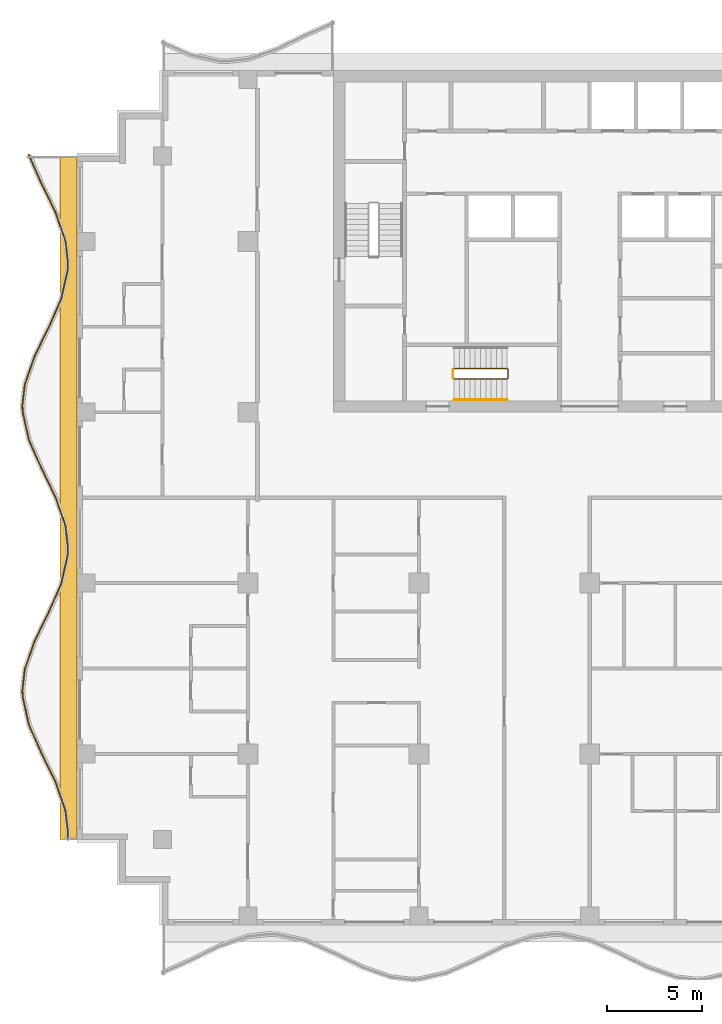
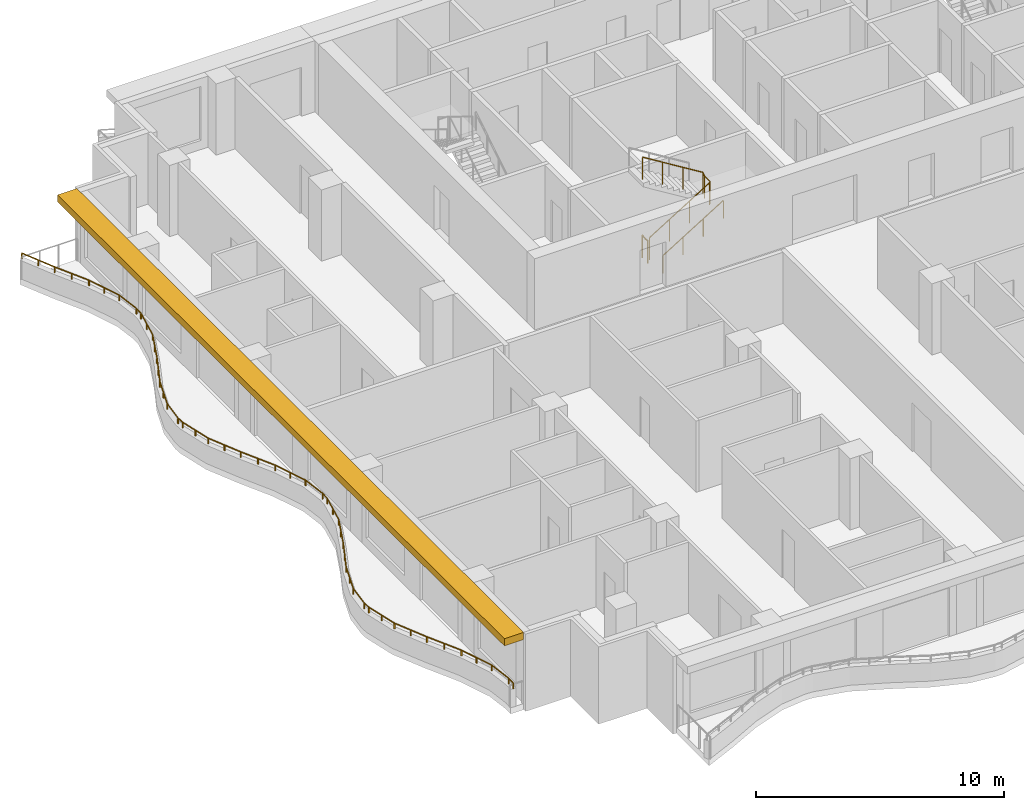
# One storey, part 9 of 11: 4 railings, 1 shading device.
"""IFC4 building model written with IfcOpenShell, lengths in metres."""

from ifc_helpers import new_model, si_unit, direction, frame, origin, origin_2d, place, context, subcontext, project, spatial, polyline, rectangle, circle, outline, extrude, material, layer, layer_set, type_object, element, save


model = new_model("IFC4")

# Units and contexts
model_context = context("Model", 3, precision=1e-05, world=origin(), true_north=direction((0.0, 1.0)))
body_context = subcontext(model_context, "Body", "Model", "MODEL_VIEW")
ifc_project = project(units=[si_unit("LENGTHUNIT", "METRE"), si_unit("AREAUNIT", "SQUARE_METRE"), si_unit("VOLUMEUNIT", "CUBIC_METRE"), si_unit("PLANEANGLEUNIT", "RADIAN"), si_unit("MASSUNIT", "GRAM", prefix="KILO")], contexts=[model_context])

# Site, building, storey
site_placement = place(None, origin())
site = spatial("IfcSite", under=ifc_project, at=site_placement, CompositionType="ELEMENT")
building_placement = place(site_placement, origin())
building = spatial("IfcBuilding", under=site, at=building_placement, Name="Orbiselva Terraces", CompositionType="ELEMENT")
storey_placement = place(building_placement, frame((0.0, 0.0, 222.4)))
storey = spatial("IfcBuildingStorey", under=building, at=storey_placement, Name="L56", CompositionType="ELEMENT", Elevation=222.4)

# Railings
ifc_material_1 = material(Name="Stainless steel", Category="steel")
railing_type_1 = type_object("IfcRailingType", Name="CORE-GUARD-1100", PredefinedType="GUARDRAIL", material=ifc_material_1)
railing_1_placement = place(storey_placement, frame((-7.15, 6.25, 0.172727)))
element("IfcRailing", 1, at=railing_1_placement, inside=storey, type_object=railing_type_1, Name="L56 S3 stair guard 1", PredefinedType="GUARDRAIL", context=body_context, shape_type="SweptSolid", body=[
    extrude(circle(Radius=0.024, at=origin_2d()), frame((0.0, 0.0, 1.081), z_axis=(0.851088519012, 0.0, 0.52502222125), x_axis=(0.0, 1.0, 0.0)), (0.0, 0.0, 1.0), 3.289905),
    extrude(circle(Radius=0.024, at=origin_2d()), frame((2.8, 0.0, 2.808273), z_axis=(0.707106781187, 0.707106781187, 0.0), x_axis=(-0.707106781187, 0.707106781187, 0.0)), (0.0, 0.0, 1.0), 0.070711),
    extrude(circle(Radius=0.024, at=origin_2d()), frame((2.85, 0.05, 2.808273), z_axis=(0.0, 1.0, 0.0), x_axis=(-1.0, 0.0, 0.0)), (0.0, 0.0, 1.0), 0.45),
    extrude(circle(Radius=0.024, at=origin_2d()), frame((2.85, 0.5, 2.808273), z_axis=(-0.267894925557, 0.267894925557, 0.925453736133), x_axis=(-0.707106781187, -0.707106781187, 0.0)), (0.0, 0.0, 1.0), 0.18664),
    extrude(circle(Radius=0.024, at=origin_2d()), frame((2.8, 0.55, 2.981), z_axis=(-0.851088519012, 0.0, 0.52502222125), x_axis=(0.0, -1.0, 0.0)), (0.0, 0.0, 1.0), 3.289905),
    extrude(circle(Radius=0.021, at=origin_2d()), origin(), (0.0, 0.0, 1.0), 1.057),
    extrude(circle(Radius=0.021, at=origin_2d()), frame((0.933333, 0.0, 0.575758)), (0.0, 0.0, 1.0), 1.057),
    extrude(circle(Radius=0.021, at=origin_2d()), frame((1.866667, 0.0, 1.151515)), (0.0, 0.0, 1.0), 1.057),
    extrude(circle(Radius=0.021, at=origin_2d()), frame((2.8, 0.0, 1.727273)), (0.0, 0.0, 1.0), 1.057),
    extrude(circle(Radius=0.021, at=origin_2d()), frame((2.85, 0.05, 1.727273)), (0.0, 0.0, 1.0), 1.057),
    extrude(circle(Radius=0.021, at=origin_2d()), frame((2.85, 0.5, 1.727273)), (0.0, 0.0, 1.0), 1.057),
    extrude(circle(Radius=0.021, at=origin_2d()), frame((2.8, 0.55, 1.9)), (0.0, 0.0, 1.0), 1.057),
    extrude(circle(Radius=0.021, at=origin_2d()), frame((1.866667, 0.55, 2.475758)), (0.0, 0.0, 1.0), 1.057),
    extrude(circle(Radius=0.021, at=origin_2d()), frame((0.933333, 0.55, 3.051515)), (0.0, 0.0, 1.0), 1.057),
    extrude(circle(Radius=0.021, at=origin_2d()), frame((0.0, 0.55, 3.627273)), (0.0, 0.0, 1.0), 1.057),
])
railing_2_placement = place(storey_placement, frame((-7.2, 6.3, 0.0)))
element("IfcRailing", 2, at=railing_2_placement, inside=storey, type_object=railing_type_1, Name="L56 S3 stair guard 2", PredefinedType="GUARDRAIL", context=body_context, shape_type="SweptSolid", body=[
    extrude(circle(Radius=0.024, at=origin_2d()), frame((0.0, 0.0, 1.081), z_axis=(0.0, 1.0, 0.0), x_axis=(-1.0, 0.0, 0.0)), (0.0, 0.0, 1.0), 0.45),
    extrude(circle(Radius=0.021, at=origin_2d()), origin(), (0.0, 0.0, 1.0), 1.057),
    extrude(circle(Radius=0.021, at=origin_2d()), frame((0.0, 0.45, 0.0)), (0.0, 0.0, 1.0), 1.057),
])
railing_type_2 = type_object("IfcRailingType", Name="CORE-HANDRAIL-900", PredefinedType="HANDRAIL", material=ifc_material_1)
railing_3_placement = place(storey_placement, frame((-7.15, 5.15, 0.172727)))
element("IfcRailing", 3, at=railing_3_placement, inside=storey, type_object=railing_type_2, Name="L56 S3 stair handrail 1", PredefinedType="HANDRAIL", context=body_context, shape_type="SweptSolid", body=[
    extrude(circle(Radius=0.024, at=origin_2d()), frame((0.0, 0.0, 0.876), z_axis=(0.851088519012, 0.0, 0.52502222125), x_axis=(0.0, 1.0, 0.0)), (0.0, 0.0, 1.0), 3.289905),
    extrude(circle(Radius=0.021, at=origin_2d()), origin(), (0.0, 0.0, 1.0), 0.852),
    extrude(circle(Radius=0.021, at=origin_2d()), frame((0.933333, 0.0, 0.575758)), (0.0, 0.0, 1.0), 0.852),
    extrude(circle(Radius=0.021, at=origin_2d()), frame((1.866667, 0.0, 1.151515)), (0.0, 0.0, 1.0), 0.852),
    extrude(circle(Radius=0.021, at=origin_2d()), frame((2.8, 0.0, 1.727273)), (0.0, 0.0, 1.0), 0.852),
])
ifc_material_2 = material(Name="Bonded two-ply safety glass balustrade, stainless steel posts", Category="steel")
railing_type_3 = type_object("IfcRailingType", Name="ENV-BALUSTRADE-1200", PredefinedType="BALUSTRADE", material=ifc_material_2)
railing_4_placement = place(storey_placement, frame((-29.534136, 18.050394, 0.9)))
element("IfcRailing", 4, at=railing_4_placement, inside=storey, type_object=railing_type_3, Name="Balcony balustrade L56 W", PredefinedType="BALUSTRADE", context=body_context, shape_type="SweptSolid", body=[
    extrude(outline(polyline([(0.028868, 0.0), (0.014434, 0.025), (-0.014434, 0.025), (-0.028868, 0.0), (-0.014434, -0.025), (0.014434, -0.025), (0.028868, 0.0)])), frame((0.0, 0.0, 0.275), z_axis=(0.403150940408, -0.915133498047, 0.0), x_axis=(0.915133498047, 0.403150940408, 0.0)), (0.0, 0.0, 1.0), 1.636648),
    extrude(outline(polyline([(0.028868, 0.0), (0.014434, 0.025), (-0.014434, 0.025), (-0.028868, 0.0), (-0.014434, -0.025), (0.014434, -0.025), (0.028868, 0.0)])), frame((0.659816, -1.497751, 0.275), z_axis=(0.438812048596, -0.898578870221, 0.0), x_axis=(0.898578870221, 0.438812048596, 0.0)), (0.0, 0.0, 1.0), 1.674225),
    extrude(outline(polyline([(0.028868, 0.0), (0.014434, 0.025), (-0.014434, 0.025), (-0.028868, 0.0), (-0.014434, -0.025), (0.014434, -0.025), (0.028868, 0.0)])), frame((1.394486, -3.002174, 0.275), z_axis=(0.330024597479, -0.943972332783, 0.0), x_axis=(0.943972332783, 0.330024597479, 0.0)), (0.0, 0.0, 1.0), 1.610253),
    extrude(outline(polyline([(0.028868, 0.0), (0.014434, 0.025), (-0.014434, 0.025), (-0.028868, 0.0), (-0.014434, -0.025), (0.014434, -0.025), (0.028868, 0.0)])), frame((1.925909, -4.522208, 0.275), z_axis=(0.115482182324, -0.993309551734, 0.0), x_axis=(0.993309551734, 0.115482182324, 0.0)), (0.0, 0.0, 1.0), 1.156135),
    extrude(outline(polyline([(0.028868, 0.0), (0.014434, 0.025), (-0.014434, 0.025), (-0.028868, 0.0), (-0.014434, -0.025), (0.014434, -0.025), (0.028868, 0.0)])), frame((2.059422, -5.670608, 0.275), z_axis=(-0.03936915532, -0.999224734286, 0.0), x_axis=(0.999224734286, -0.03936915532, 0.0)), (0.0, 0.0, 1.0), 0.396376),
    extrude(outline(polyline([(0.028868, 0.0), (0.014434, 0.025), (-0.014434, 0.025), (-0.028868, 0.0), (-0.014434, -0.025), (0.014434, -0.025), (0.028868, 0.0)])), frame((2.043817, -6.066677, 0.275), z_axis=(-0.219015500924, -0.97572137947, 0.0), x_axis=(0.97572137947, -0.219015500924, 0.0)), (0.0, 0.0, 1.0), 1.560867),
    extrude(outline(polyline([(0.028868, 0.0), (0.014434, 0.025), (-0.014434, 0.025), (-0.028868, 0.0), (-0.014434, -0.025), (0.014434, -0.025), (0.028868, 0.0)])), frame((1.701963, -7.589648, 0.275), z_axis=(-0.403150874148, -0.915133527237, 0.0), x_axis=(0.915133527237, -0.403150874148, 0.0)), (0.0, 0.0, 1.0), 1.653736),
    extrude(outline(polyline([(0.028868, 0.0), (0.014434, 0.025), (-0.014434, 0.025), (-0.028868, 0.0), (-0.014434, -0.025), (0.014434, -0.025), (0.028868, 0.0)])), frame((1.035258, -9.103037, 0.275), z_axis=(-0.438811978768, -0.89857890432, 0.0), x_axis=(0.89857890432, -0.438811978768, 0.0)), (0.0, 0.0, 1.0), 1.66438),
    extrude(outline(polyline([(0.028868, 0.0), (0.014434, 0.025), (-0.014434, 0.025), (-0.028868, 0.0), (-0.014434, -0.025), (0.014434, -0.025), (0.028868, 0.0)])), frame((0.304908, -10.598614, 0.275), z_axis=(-0.330024754707, -0.943972277814, 0.0), x_axis=(0.943972277814, -0.330024754707, 0.0)), (0.0, 0.0, 1.0), 1.567807),
    extrude(outline(polyline([(0.028868, 0.0), (0.014434, 0.025), (-0.014434, 0.025), (-0.028868, 0.0), (-0.014434, -0.025), (0.014434, -0.025), (0.028868, 0.0)])), frame((-0.212507, -12.07858, 0.275), z_axis=(-0.115481264762, -0.993309658409, 0.0), x_axis=(0.993309658409, -0.115481264762, 0.0)), (0.0, 0.0, 1.0), 1.10902),
    extrude(outline(polyline([(0.028868, 0.0), (0.014434, 0.025), (-0.014434, 0.025), (-0.028868, 0.0), (-0.014434, -0.025), (0.014434, -0.025), (0.028868, 0.0)])), frame((-0.340578, -13.18018, 0.275), z_axis=(0.039364150694, -0.999224931454, 0.0), x_axis=(0.999224931454, 0.039364150694, 0.0)), (0.0, 0.0, 1.0), 0.354206),
    extrude(outline(polyline([(0.028868, 0.0), (0.014434, 0.025), (-0.014434, 0.025), (-0.028868, 0.0), (-0.014434, -0.025), (0.014434, -0.025), (0.028868, 0.0)])), frame((-0.326635, -13.534111, 0.275), z_axis=(0.219015740235, -0.975721325753, 0.0), x_axis=(0.975721325753, 0.219015740235, 0.0)), (0.0, 0.0, 1.0), 1.513782),
    extrude(outline(polyline([(0.028868, 0.0), (0.014434, 0.025), (-0.014434, 0.025), (-0.028868, 0.0), (-0.014434, -0.025), (0.014434, -0.025), (0.028868, 0.0)])), frame((0.004907, -15.01114, 0.275), z_axis=(0.403151245402, -0.915133363686, 0.0), x_axis=(0.915133363686, 0.403151245402, 0.0)), (0.0, 0.0, 1.0), 1.624475),
    extrude(outline(polyline([(0.028868, 0.0), (0.014434, 0.025), (-0.014434, 0.025), (-0.028868, 0.0), (-0.014434, -0.025), (0.014434, -0.025), (0.028868, 0.0)])), frame((0.659816, -16.497751, 0.275), z_axis=(0.438812048596, -0.898578870221, 0.0), x_axis=(0.898578870221, 0.438812048596, 0.0)), (0.0, 0.0, 1.0), 1.674225),
    extrude(outline(polyline([(0.028868, 0.0), (0.014434, 0.025), (-0.014434, 0.025), (-0.028868, 0.0), (-0.014434, -0.025), (0.014434, -0.025), (0.028868, 0.0)])), frame((1.394486, -18.002174, 0.275), z_axis=(0.330024597479, -0.943972332783, 0.0), x_axis=(0.943972332783, 0.330024597479, 0.0)), (0.0, 0.0, 1.0), 1.610253),
    extrude(outline(polyline([(0.028868, 0.0), (0.014434, 0.025), (-0.014434, 0.025), (-0.028868, 0.0), (-0.014434, -0.025), (0.014434, -0.025), (0.028868, 0.0)])), frame((1.925909, -19.522208, 0.275), z_axis=(0.115482182324, -0.993309551734, 0.0), x_axis=(0.993309551734, 0.115482182324, 0.0)), (0.0, 0.0, 1.0), 1.156135),
    extrude(outline(polyline([(0.028868, 0.0), (0.014434, 0.025), (-0.014434, 0.025), (-0.028868, 0.0), (-0.014434, -0.025), (0.014434, -0.025), (0.028868, 0.0)])), frame((2.059422, -20.670608, 0.275), z_axis=(-0.03936915532, -0.999224734286, 0.0), x_axis=(0.999224734286, -0.03936915532, 0.0)), (0.0, 0.0, 1.0), 0.396376),
    extrude(outline(polyline([(0.028868, 0.0), (0.014434, 0.025), (-0.014434, 0.025), (-0.028868, 0.0), (-0.014434, -0.025), (0.014434, -0.025), (0.028868, 0.0)])), frame((2.043817, -21.066677, 0.275), z_axis=(-0.219015500924, -0.97572137947, 0.0), x_axis=(0.97572137947, -0.219015500924, 0.0)), (0.0, 0.0, 1.0), 1.560867),
    extrude(outline(polyline([(0.028868, 0.0), (0.014434, 0.025), (-0.014434, 0.025), (-0.028868, 0.0), (-0.014434, -0.025), (0.014434, -0.025), (0.028868, 0.0)])), frame((1.701963, -22.589648, 0.275), z_axis=(-0.403150874148, -0.915133527237, 0.0), x_axis=(0.915133527237, -0.403150874148, 0.0)), (0.0, 0.0, 1.0), 1.653736),
    extrude(outline(polyline([(0.028868, 0.0), (0.014434, 0.025), (-0.014434, 0.025), (-0.028868, 0.0), (-0.014434, -0.025), (0.014434, -0.025), (0.028868, 0.0)])), frame((1.035258, -24.103037, 0.275), z_axis=(-0.438811978768, -0.89857890432, 0.0), x_axis=(0.89857890432, -0.438811978768, 0.0)), (0.0, 0.0, 1.0), 1.66438),
    extrude(outline(polyline([(0.028868, 0.0), (0.014434, 0.025), (-0.014434, 0.025), (-0.028868, 0.0), (-0.014434, -0.025), (0.014434, -0.025), (0.028868, 0.0)])), frame((0.304908, -25.598614, 0.275), z_axis=(-0.330024754707, -0.943972277814, 0.0), x_axis=(0.943972277814, -0.330024754707, 0.0)), (0.0, 0.0, 1.0), 1.567807),
    extrude(outline(polyline([(0.028868, 0.0), (0.014434, 0.025), (-0.014434, 0.025), (-0.028868, 0.0), (-0.014434, -0.025), (0.014434, -0.025), (0.028868, 0.0)])), frame((-0.212507, -27.07858, 0.275), z_axis=(-0.115481264762, -0.993309658409, 0.0), x_axis=(0.993309658409, -0.115481264762, 0.0)), (0.0, 0.0, 1.0), 1.10902),
    extrude(outline(polyline([(0.028868, 0.0), (0.014434, 0.025), (-0.014434, 0.025), (-0.028868, 0.0), (-0.014434, -0.025), (0.014434, -0.025), (0.028868, 0.0)])), frame((-0.340578, -28.18018, 0.275), z_axis=(0.039364150694, -0.999224931454, 0.0), x_axis=(0.999224931454, 0.039364150694, 0.0)), (0.0, 0.0, 1.0), 0.354206),
    extrude(outline(polyline([(0.028868, 0.0), (0.014434, 0.025), (-0.014434, 0.025), (-0.028868, 0.0), (-0.014434, -0.025), (0.014434, -0.025), (0.028868, 0.0)])), frame((-0.326635, -28.534111, 0.275), z_axis=(0.219015740235, -0.975721325753, 0.0), x_axis=(0.975721325753, 0.219015740235, 0.0)), (0.0, 0.0, 1.0), 1.513782),
    extrude(outline(polyline([(0.028868, 0.0), (0.014434, 0.025), (-0.014434, 0.025), (-0.028868, 0.0), (-0.014434, -0.025), (0.014434, -0.025), (0.028868, 0.0)])), frame((0.004907, -30.01114, 0.275), z_axis=(0.403151245402, -0.915133363686, 0.0), x_axis=(0.915133363686, 0.403151245402, 0.0)), (0.0, 0.0, 1.0), 1.624475),
    extrude(outline(polyline([(0.028868, 0.0), (0.014434, 0.025), (-0.014434, 0.025), (-0.028868, 0.0), (-0.014434, -0.025), (0.014434, -0.025), (0.028868, 0.0)])), frame((0.659816, -31.497751, 0.275), z_axis=(0.438812048596, -0.898578870221, 0.0), x_axis=(0.898578870221, 0.438812048596, 0.0)), (0.0, 0.0, 1.0), 1.674225),
    extrude(outline(polyline([(0.028868, 0.0), (0.014434, 0.025), (-0.014434, 0.025), (-0.028868, 0.0), (-0.014434, -0.025), (0.014434, -0.025), (0.028868, 0.0)])), frame((1.394486, -33.002174, 0.275), z_axis=(0.330024597479, -0.943972332783, 0.0), x_axis=(0.943972332783, 0.330024597479, 0.0)), (0.0, 0.0, 1.0), 1.610253),
    extrude(outline(polyline([(0.028868, 0.0), (0.014434, 0.025), (-0.014434, 0.025), (-0.028868, 0.0), (-0.014434, -0.025), (0.014434, -0.025), (0.028868, 0.0)])), frame((1.925909, -34.522208, 0.275), z_axis=(0.115482182324, -0.993309551734, 0.0), x_axis=(0.993309551734, 0.115482182324, 0.0)), (0.0, 0.0, 1.0), 1.156135),
    extrude(outline(polyline([(0.028868, 0.0), (0.014434, 0.025), (-0.014434, 0.025), (-0.028868, 0.0), (-0.014434, -0.025), (0.014434, -0.025), (0.028868, 0.0)])), frame((2.059422, -35.670608, 0.275), z_axis=(-0.039368272023, -0.999224769087, 0.0), x_axis=(0.999224769087, -0.039368272023, 0.0)), (0.0, 0.0, 1.0), 0.385005),
    extrude(rectangle(XDim=0.05, YDim=0.05, at=origin_2d()), origin(), (0.0, 0.0, 1.0), 0.25),
    extrude(rectangle(XDim=0.05, YDim=0.05, at=origin_2d()), frame((0.329908, -0.748876, 0.0)), (0.0, 0.0, 1.0), 0.25),
    extrude(rectangle(XDim=0.05, YDim=0.05, at=origin_2d()), frame((0.659816, -1.497751, 0.0)), (0.0, 0.0, 1.0), 0.25),
    extrude(rectangle(XDim=0.05, YDim=0.05, at=origin_2d()), frame((1.027151, -2.249963, 0.0)), (0.0, 0.0, 1.0), 0.25),
    extrude(rectangle(XDim=0.05, YDim=0.05, at=origin_2d()), frame((1.394486, -3.002174, 0.0)), (0.0, 0.0, 1.0), 0.25),
    extrude(rectangle(XDim=0.05, YDim=0.05, at=origin_2d()), frame((1.660198, -3.762191, 0.0)), (0.0, 0.0, 1.0), 0.25),
    extrude(rectangle(XDim=0.05, YDim=0.05, at=origin_2d()), frame((1.925909, -4.522208, 0.0)), (0.0, 0.0, 1.0), 0.25),
    extrude(rectangle(XDim=0.05, YDim=0.05, at=origin_2d()), frame((2.059422, -5.670608, 0.0)), (0.0, 0.0, 1.0), 0.25),
    extrude(rectangle(XDim=0.05, YDim=0.05, at=origin_2d()), frame((2.043817, -6.066677, 0.0)), (0.0, 0.0, 1.0), 0.25),
    extrude(rectangle(XDim=0.05, YDim=0.05, at=origin_2d()), frame((1.87289, -6.828162, 0.0)), (0.0, 0.0, 1.0), 0.25),
    extrude(rectangle(XDim=0.05, YDim=0.05, at=origin_2d()), frame((1.701963, -7.589648, 0.0)), (0.0, 0.0, 1.0), 0.25),
    extrude(rectangle(XDim=0.05, YDim=0.05, at=origin_2d()), frame((1.36861, -8.346342, 0.0)), (0.0, 0.0, 1.0), 0.25),
    extrude(rectangle(XDim=0.05, YDim=0.05, at=origin_2d()), frame((1.035258, -9.103037, 0.0)), (0.0, 0.0, 1.0), 0.25),
    extrude(rectangle(XDim=0.05, YDim=0.05, at=origin_2d()), frame((0.670083, -9.850826, 0.0)), (0.0, 0.0, 1.0), 0.25),
    extrude(rectangle(XDim=0.05, YDim=0.05, at=origin_2d()), frame((0.304908, -10.598614, 0.0)), (0.0, 0.0, 1.0), 0.25),
    extrude(rectangle(XDim=0.05, YDim=0.05, at=origin_2d()), frame((0.046201, -11.338597, 0.0)), (0.0, 0.0, 1.0), 0.25),
    extrude(rectangle(XDim=0.05, YDim=0.05, at=origin_2d()), frame((-0.212507, -12.07858, 0.0)), (0.0, 0.0, 1.0), 0.25),
    extrude(rectangle(XDim=0.05, YDim=0.05, at=origin_2d()), frame((-0.340578, -13.18018, 0.0)), (0.0, 0.0, 1.0), 0.25),
    extrude(rectangle(XDim=0.05, YDim=0.05, at=origin_2d()), frame((-0.326635, -13.534111, 0.0)), (0.0, 0.0, 1.0), 0.25),
    extrude(rectangle(XDim=0.05, YDim=0.05, at=origin_2d()), frame((-0.160864, -14.272626, 0.0)), (0.0, 0.0, 1.0), 0.25),
    extrude(rectangle(XDim=0.05, YDim=0.05, at=origin_2d()), frame((0.004907, -15.01114, 0.0)), (0.0, 0.0, 1.0), 0.25),
    extrude(rectangle(XDim=0.05, YDim=0.05, at=origin_2d()), frame((0.332361, -15.754446, 0.0)), (0.0, 0.0, 1.0), 0.25),
    extrude(rectangle(XDim=0.05, YDim=0.05, at=origin_2d()), frame((0.659816, -16.497751, 0.0)), (0.0, 0.0, 1.0), 0.25),
    extrude(rectangle(XDim=0.05, YDim=0.05, at=origin_2d()), frame((1.027151, -17.249963, 0.0)), (0.0, 0.0, 1.0), 0.25),
    extrude(rectangle(XDim=0.05, YDim=0.05, at=origin_2d()), frame((1.394486, -18.002174, 0.0)), (0.0, 0.0, 1.0), 0.25),
    extrude(rectangle(XDim=0.05, YDim=0.05, at=origin_2d()), frame((1.660198, -18.762191, 0.0)), (0.0, 0.0, 1.0), 0.25),
    extrude(rectangle(XDim=0.05, YDim=0.05, at=origin_2d()), frame((1.925909, -19.522208, 0.0)), (0.0, 0.0, 1.0), 0.25),
    extrude(rectangle(XDim=0.05, YDim=0.05, at=origin_2d()), frame((2.059422, -20.670608, 0.0)), (0.0, 0.0, 1.0), 0.25),
    extrude(rectangle(XDim=0.05, YDim=0.05, at=origin_2d()), frame((2.043817, -21.066677, 0.0)), (0.0, 0.0, 1.0), 0.25),
    extrude(rectangle(XDim=0.05, YDim=0.05, at=origin_2d()), frame((1.87289, -21.828162, 0.0)), (0.0, 0.0, 1.0), 0.25),
    extrude(rectangle(XDim=0.05, YDim=0.05, at=origin_2d()), frame((1.701963, -22.589648, 0.0)), (0.0, 0.0, 1.0), 0.25),
    extrude(rectangle(XDim=0.05, YDim=0.05, at=origin_2d()), frame((1.36861, -23.346342, 0.0)), (0.0, 0.0, 1.0), 0.25),
    extrude(rectangle(XDim=0.05, YDim=0.05, at=origin_2d()), frame((1.035258, -24.103037, 0.0)), (0.0, 0.0, 1.0), 0.25),
    extrude(rectangle(XDim=0.05, YDim=0.05, at=origin_2d()), frame((0.670083, -24.850826, 0.0)), (0.0, 0.0, 1.0), 0.25),
    extrude(rectangle(XDim=0.05, YDim=0.05, at=origin_2d()), frame((0.304908, -25.598614, 0.0)), (0.0, 0.0, 1.0), 0.25),
    extrude(rectangle(XDim=0.05, YDim=0.05, at=origin_2d()), frame((0.046201, -26.338597, 0.0)), (0.0, 0.0, 1.0), 0.25),
    extrude(rectangle(XDim=0.05, YDim=0.05, at=origin_2d()), frame((-0.212507, -27.07858, 0.0)), (0.0, 0.0, 1.0), 0.25),
    extrude(rectangle(XDim=0.05, YDim=0.05, at=origin_2d()), frame((-0.340578, -28.18018, 0.0)), (0.0, 0.0, 1.0), 0.25),
    extrude(rectangle(XDim=0.05, YDim=0.05, at=origin_2d()), frame((-0.326635, -28.534111, 0.0)), (0.0, 0.0, 1.0), 0.25),
    extrude(rectangle(XDim=0.05, YDim=0.05, at=origin_2d()), frame((-0.160864, -29.272626, 0.0)), (0.0, 0.0, 1.0), 0.25),
    extrude(rectangle(XDim=0.05, YDim=0.05, at=origin_2d()), frame((0.004907, -30.01114, 0.0)), (0.0, 0.0, 1.0), 0.25),
    extrude(rectangle(XDim=0.05, YDim=0.05, at=origin_2d()), frame((0.332361, -30.754446, 0.0)), (0.0, 0.0, 1.0), 0.25),
    extrude(rectangle(XDim=0.05, YDim=0.05, at=origin_2d()), frame((0.659816, -31.497751, 0.0)), (0.0, 0.0, 1.0), 0.25),
    extrude(rectangle(XDim=0.05, YDim=0.05, at=origin_2d()), frame((1.027151, -32.249962, 0.0)), (0.0, 0.0, 1.0), 0.25),
    extrude(rectangle(XDim=0.05, YDim=0.05, at=origin_2d()), frame((1.394486, -33.002174, 0.0)), (0.0, 0.0, 1.0), 0.25),
    extrude(rectangle(XDim=0.05, YDim=0.05, at=origin_2d()), frame((1.660198, -33.762191, 0.0)), (0.0, 0.0, 1.0), 0.25),
    extrude(rectangle(XDim=0.05, YDim=0.05, at=origin_2d()), frame((1.925909, -34.522208, 0.0)), (0.0, 0.0, 1.0), 0.25),
    extrude(rectangle(XDim=0.05, YDim=0.05, at=origin_2d()), frame((2.059422, -35.670608, 0.0)), (0.0, 0.0, 1.0), 0.25),
    extrude(rectangle(XDim=0.05, YDim=0.05, at=origin_2d()), frame((2.044265, -36.055315, 0.0)), (0.0, 0.0, 1.0), 0.25),
])

# Shading device
ifc_material_3 = material(Name="Terracotta baguette sunshade", Category="masonry")
ifc_layer = layer(ifc_material_3, 0.35)
ifc_layer_set = layer_set([ifc_layer], Name="Terracotta baguette sunshade")
shading_device_type = type_object("IfcShadingDeviceType", Name="ENV-SUNSHADE-900x350", PredefinedType="USERDEFINED", material=ifc_layer_set)
shading_device_placement = place(storey_placement, frame((0.0, 0.0, 3.15)))
element("IfcShadingDevice", 5, at=shading_device_placement, inside=storey, type_object=shading_device_type, Name="Sunshade band L56 W", ObjectType="SUNSHADE", PredefinedType="USERDEFINED", context=body_context, shape_type="SweptSolid", body=[
    extrude(outline(polyline([(-27.9, 18.0), (-27.9, -18.0), (-27.0, -18.0), (-27.0, 18.0), (-27.9, 18.0)])), origin(), (0.0, 0.0, 1.0), 0.35),
])

save(model, "model.ifc")
